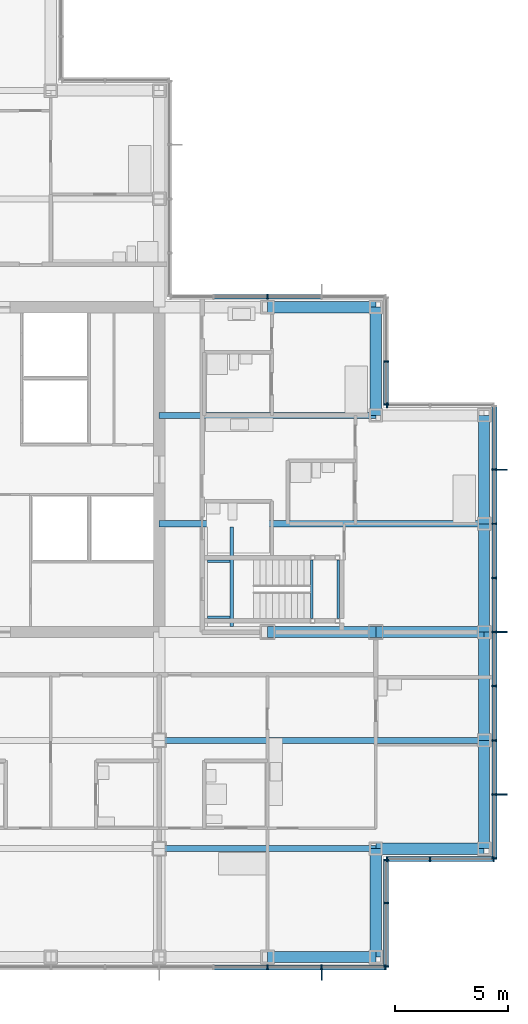
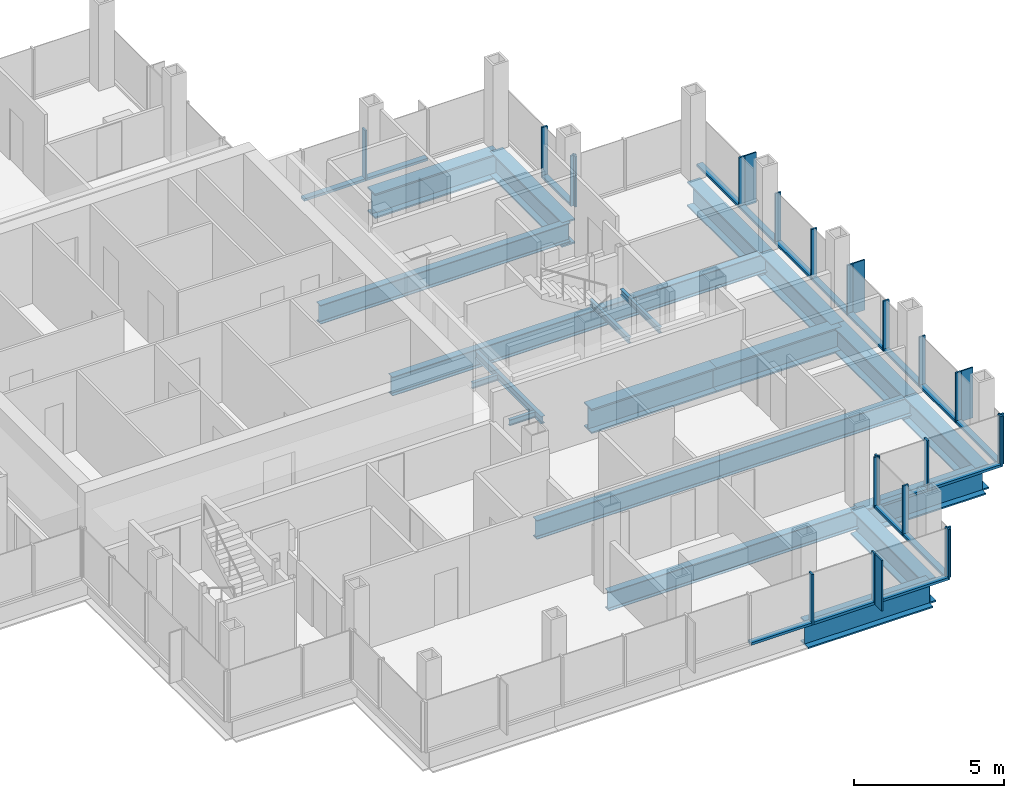
# One storey, part 8 of 20: 43 members, 20 beams, 7 elements without a shape of their own.
"""IFC4 building model written with IfcOpenShell, lengths in metres."""

from ifc_helpers import new_model, si_unit, direction, frame, origin, origin_2d, place, context, subcontext, project, spatial, rectangle, i_section, extrude, material, material_profile, profile_set, type_object, element, aggregate, save


model = new_model("IFC4")

# Units and contexts
model_context = context("Model", 3, precision=1e-05, world=origin(), true_north=direction((0.0, 1.0)))
body_context = subcontext(model_context, "Body", "Model", "MODEL_VIEW")
ifc_project = project(units=[si_unit("LENGTHUNIT", "METRE"), si_unit("AREAUNIT", "SQUARE_METRE"), si_unit("VOLUMEUNIT", "CUBIC_METRE"), si_unit("PLANEANGLEUNIT", "RADIAN"), si_unit("MASSUNIT", "GRAM", prefix="KILO")], contexts=[model_context])

# Site, building, storey
site_placement = place(None, origin())
site = spatial("IfcSite", under=ifc_project, at=site_placement, CompositionType="ELEMENT")
building_placement = place(site_placement, origin())
building = spatial("IfcBuilding", under=site, at=building_placement, Name="Kvirike Care Tower", CompositionType="ELEMENT")
storey_placement = place(building_placement, frame((0.0, 0.0, 133.0)))
storey = spatial("IfcBuildingStorey", under=building, at=storey_placement, Name="L36", CompositionType="ELEMENT", Elevation=133.0)

# Curtain wall, members
ifc_material_1 = material(Name="Anodised aluminium stick system", Category="aluminium")
curtain_wall_type = type_object("IfcCurtainWallType", Name="CW-B STICK CURTAIN WALL", PredefinedType="NOTDEFINED", material=ifc_material_1)
curtain_wall_1_placement = place(storey_placement, origin())
curtain_wall_1 = element("IfcCurtainWall", 1, at=curtain_wall_1_placement, inside=storey, type_object=curtain_wall_type, Name="Curtain wall L36 face 1", PredefinedType="NOTDEFINED")
ifc_material_2 = material(Name="Bronze anodised aluminium fin", Category="aluminium")
ifc_material_profile_1 = material_profile(ifc_material_2, rectangle(XDim=0.050048828125, YDim=0.449951171875, at=origin_2d()), Name="BRONZE FIN 450")
ifc_profile_set_1 = profile_set([ifc_material_profile_1], Name="Bronze anodised aluminium fin")
member_type_1 = type_object("IfcMemberType", Name="BRONZE FIN 450", PredefinedType="USERDEFINED", material=ifc_profile_set_1)
member_1_placement = place(storey_placement, frame((43.9951171875, 21.60009765625, 0.0), z_axis=(0.0, 0.0, 1.0), x_axis=(0.0, 1.0, 0.0)))
member_1 = element("IfcMember", 2, at=member_1_placement, type_object=member_type_1, Name="Bronze fin L36 face 1.2", ObjectType="FIN", PredefinedType="USERDEFINED", context=body_context, shape_type="SweptSolid", body=[
    extrude(rectangle(XDim=0.050048828125, YDim=0.449951171875, at=origin_2d()), origin(), (0.0, 0.0, 1.0), 2.050048828125),
])
member_2_placement = place(storey_placement, frame((43.9951171875, 28.800048828125, 0.0), z_axis=(0.0, 0.0, 1.0), x_axis=(0.0, 1.0, 0.0)))
member_2 = element("IfcMember", 3, at=member_2_placement, type_object=member_type_1, Name="Bronze fin L36 face 1.5", ObjectType="FIN", PredefinedType="USERDEFINED", context=body_context, shape_type="SweptSolid", body=[
    extrude(rectangle(XDim=0.050048828125, YDim=0.449951171875, at=origin_2d()), origin(), (0.0, 0.0, 1.0), 2.050048828125),
])
member_3_placement = place(storey_placement, frame((43.9951171875, 36.0, 0.0), z_axis=(0.0, 0.0, 1.0), x_axis=(0.0, 1.0, 0.0)))
member_3 = element("IfcMember", 4, at=member_3_placement, type_object=member_type_1, Name="Bronze fin L36 face 1.8", ObjectType="FIN", PredefinedType="USERDEFINED", context=body_context, shape_type="SweptSolid", body=[
    extrude(rectangle(XDim=0.050048828125, YDim=0.449951171875, at=origin_2d()), origin(), (0.0, 0.0, 1.0), 2.050048828125),
])

# Curtain wall, member
curtain_wall_2_placement = place(storey_placement, origin())
curtain_wall_2 = element("IfcCurtainWall", 5, at=curtain_wall_2_placement, inside=storey, type_object=curtain_wall_type, Name="Curtain wall L36 face 18", PredefinedType="NOTDEFINED")
member_4_placement = place(storey_placement, frame((36.0, 13.60498046875, 0.0), z_axis=(0.0, 0.0, 1.0), x_axis=(1.0, 0.0, 0.0)))
member_4 = element("IfcMember", 6, at=member_4_placement, type_object=member_type_1, Name="Bronze fin L36 face 18.8", ObjectType="FIN", PredefinedType="USERDEFINED", context=body_context, shape_type="SweptSolid", body=[
    extrude(rectangle(XDim=0.050048828125, YDim=0.449951171875, at=origin_2d()), origin(), (0.0, 0.0, 1.0), 2.050048828125),
])

# Member
ifc_material_3 = material(Name="Bronze anodised aluminium mullion", Category="aluminium")
ifc_material_profile_2 = material_profile(ifc_material_3, rectangle(XDim=0.06494140625, YDim=0.219970703125, at=origin_2d()), Name="CW-B MULLION 65x220")
ifc_profile_set_2 = profile_set([ifc_material_profile_2], Name="Bronze anodised aluminium mullion")
member_type_2 = type_object("IfcMemberType", Name="CW-B MULLION 65x220", PredefinedType="MULLION", material=ifc_profile_set_2)
member_5_placement = place(storey_placement, frame((43.659912109375, 18.7724609375, 0.0), z_axis=(0.0, 0.0, 1.0), x_axis=(0.0, 1.0, 0.0)))
member_5 = element("IfcMember", 7, at=member_5_placement, type_object=member_type_2, Name="CW-B mullion L36 face 1.1", PredefinedType="MULLION", context=body_context, shape_type="SweptSolid", body=[
    extrude(rectangle(XDim=0.06494140625, YDim=0.219970703125, at=origin_2d()), origin(), (0.0, 0.0, 1.0), 2.050048828125),
])

member_6_placement = place(storey_placement, frame((43.659912109375, 21.60009765625, 0.0), z_axis=(0.0, 0.0, 1.0), x_axis=(0.0, 1.0, 0.0)))
member_6 = element("IfcMember", 8, at=member_6_placement, type_object=member_type_2, Name="CW-B mullion L36 face 1.2", PredefinedType="MULLION", context=body_context, shape_type="SweptSolid", body=[
    extrude(rectangle(XDim=0.06494140625, YDim=0.219970703125, at=origin_2d()), origin(), (0.0, 0.0, 1.0), 2.050048828125),
])

member_7_placement = place(storey_placement, frame((43.659912109375, 24.0, 0.0), z_axis=(0.0, 0.0, 1.0), x_axis=(0.0, 1.0, 0.0)))
member_7 = element("IfcMember", 9, at=member_7_placement, type_object=member_type_2, Name="CW-B mullion L36 face 1.3", PredefinedType="MULLION", context=body_context, shape_type="SweptSolid", body=[
    extrude(rectangle(XDim=0.06494140625, YDim=0.219970703125, at=origin_2d()), origin(), (0.0, 0.0, 1.0), 2.050048828125),
])

member_8_placement = place(storey_placement, frame((43.659912109375, 26.39990234375, 0.0), z_axis=(0.0, 0.0, 1.0), x_axis=(0.0, 1.0, 0.0)))
member_8 = element("IfcMember", 10, at=member_8_placement, type_object=member_type_2, Name="CW-B mullion L36 face 1.4", PredefinedType="MULLION", context=body_context, shape_type="SweptSolid", body=[
    extrude(rectangle(XDim=0.06494140625, YDim=0.219970703125, at=origin_2d()), origin(), (0.0, 0.0, 1.0), 2.050048828125),
])

member_9_placement = place(storey_placement, frame((43.659912109375, 28.800048828125, 0.0), z_axis=(0.0, 0.0, 1.0), x_axis=(0.0, 1.0, 0.0)))
member_9 = element("IfcMember", 11, at=member_9_placement, type_object=member_type_2, Name="CW-B mullion L36 face 1.5", PredefinedType="MULLION", context=body_context, shape_type="SweptSolid", body=[
    extrude(rectangle(XDim=0.06494140625, YDim=0.219970703125, at=origin_2d()), origin(), (0.0, 0.0, 1.0), 2.050048828125),
])

member_10_placement = place(storey_placement, frame((43.659912109375, 31.199951171875, 0.0), z_axis=(0.0, 0.0, 1.0), x_axis=(0.0, 1.0, 0.0)))
member_10 = element("IfcMember", 12, at=member_10_placement, type_object=member_type_2, Name="CW-B mullion L36 face 1.6", PredefinedType="MULLION", context=body_context, shape_type="SweptSolid", body=[
    extrude(rectangle(XDim=0.06494140625, YDim=0.219970703125, at=origin_2d()), origin(), (0.0, 0.0, 1.0), 2.050048828125),
])

member_11_placement = place(storey_placement, frame((43.659912109375, 33.60009765625, 0.0), z_axis=(0.0, 0.0, 1.0), x_axis=(0.0, 1.0, 0.0)))
member_11 = element("IfcMember", 13, at=member_11_placement, type_object=member_type_2, Name="CW-B mullion L36 face 1.7", PredefinedType="MULLION", context=body_context, shape_type="SweptSolid", body=[
    extrude(rectangle(XDim=0.06494140625, YDim=0.219970703125, at=origin_2d()), origin(), (0.0, 0.0, 1.0), 2.050048828125),
])

member_12_placement = place(storey_placement, frame((43.659912109375, 36.0, 0.0), z_axis=(0.0, 0.0, 1.0), x_axis=(0.0, 1.0, 0.0)))
member_12 = element("IfcMember", 14, at=member_12_placement, type_object=member_type_2, Name="CW-B mullion L36 face 1.8", PredefinedType="MULLION", context=body_context, shape_type="SweptSolid", body=[
    extrude(rectangle(XDim=0.06494140625, YDim=0.219970703125, at=origin_2d()), origin(), (0.0, 0.0, 1.0), 2.050048828125),
])

# Curtain wall, member
curtain_wall_3_placement = place(storey_placement, origin())
curtain_wall_3 = element("IfcCurtainWall", 15, at=curtain_wall_3_placement, inside=storey, type_object=curtain_wall_type, Name="Curtain wall L36 face 2", PredefinedType="NOTDEFINED")
member_13_placement = place(storey_placement, frame((38.892578125, 38.860107421875, 0.0), z_axis=(0.0, 0.0, 1.0), x_axis=(-1.0, 0.0, 0.0)))
member_13 = element("IfcMember", 16, at=member_13_placement, type_object=member_type_2, Name="CW-B mullion L36 face 2.3", PredefinedType="MULLION", context=body_context, shape_type="SweptSolid", body=[
    extrude(rectangle(XDim=0.06494140625, YDim=0.219970703125, at=origin_2d()), origin(), (0.0, 0.0, 1.0), 2.050048828125),
])
aggregate(curtain_wall_3, [member_13])

# Curtain wall, members
curtain_wall_4_placement = place(storey_placement, origin())
curtain_wall_4 = element("IfcCurtainWall", 17, at=curtain_wall_4_placement, inside=storey, type_object=curtain_wall_type, Name="Curtain wall L36 face 3", PredefinedType="NOTDEFINED")
member_14_placement = place(storey_placement, frame((38.860107421875, 38.892578125, 0.0), z_axis=(0.0, 0.0, 1.0), x_axis=(0.0, 1.0, 0.0)))
member_14 = element("IfcMember", 18, at=member_14_placement, type_object=member_type_2, Name="CW-B mullion L36 face 3.1", PredefinedType="MULLION", context=body_context, shape_type="SweptSolid", body=[
    extrude(rectangle(XDim=0.06494140625, YDim=0.219970703125, at=origin_2d()), origin(), (0.0, 0.0, 1.0), 2.050048828125),
])
member_15_placement = place(storey_placement, frame((38.860107421875, 40.800048828125, 0.0), z_axis=(0.0, 0.0, 1.0), x_axis=(0.0, 1.0, 0.0)))
member_15 = element("IfcMember", 19, at=member_15_placement, type_object=member_type_2, Name="CW-B mullion L36 face 3.2", PredefinedType="MULLION", context=body_context, shape_type="SweptSolid", body=[
    extrude(rectangle(XDim=0.06494140625, YDim=0.219970703125, at=origin_2d()), origin(), (0.0, 0.0, 1.0), 2.050048828125),
])

# Curtain wall, member
curtain_wall_5_placement = place(storey_placement, origin())
curtain_wall_5 = element("IfcCurtainWall", 20, at=curtain_wall_5_placement, inside=storey, type_object=curtain_wall_type, Name="Curtain wall L36 face 4", PredefinedType="NOTDEFINED")
member_16_placement = place(storey_placement, frame((33.60009765625, 43.659912109375, 0.0), z_axis=(0.0, 0.0, 1.0), x_axis=(-1.0, 0.0, 0.0)))
member_16 = element("IfcMember", 21, at=member_16_placement, type_object=member_type_2, Name="CW-B mullion L36 face 4.3", PredefinedType="MULLION", context=body_context, shape_type="SweptSolid", body=[
    extrude(rectangle(XDim=0.06494140625, YDim=0.219970703125, at=origin_2d()), origin(), (0.0, 0.0, 1.0), 2.050048828125),
])

# Member
member_17_placement = place(storey_placement, frame((33.60009765625, 13.93994140625, 0.0), z_axis=(0.0, 0.0, 1.0), x_axis=(1.0, 0.0, 0.0)))
member_17 = element("IfcMember", 22, at=member_17_placement, type_object=member_type_2, Name="CW-B mullion L36 face 18.7", PredefinedType="MULLION", context=body_context, shape_type="SweptSolid", body=[
    extrude(rectangle(XDim=0.06494140625, YDim=0.219970703125, at=origin_2d()), origin(), (0.0, 0.0, 1.0), 2.050048828125),
])

member_18_placement = place(storey_placement, frame((36.0, 13.93994140625, 0.0), z_axis=(0.0, 0.0, 1.0), x_axis=(1.0, 0.0, 0.0)))
member_18 = element("IfcMember", 23, at=member_18_placement, type_object=member_type_2, Name="CW-B mullion L36 face 18.8", PredefinedType="MULLION", context=body_context, shape_type="SweptSolid", body=[
    extrude(rectangle(XDim=0.06494140625, YDim=0.219970703125, at=origin_2d()), origin(), (0.0, 0.0, 1.0), 2.050048828125),
])

member_19_placement = place(storey_placement, frame((38.827392578125, 13.93994140625, 0.0), z_axis=(0.0, 0.0, 1.0), x_axis=(1.0, 0.0, 0.0)))
member_19 = element("IfcMember", 24, at=member_19_placement, type_object=member_type_2, Name="CW-B mullion L36 face 18.9", PredefinedType="MULLION", context=body_context, shape_type="SweptSolid", body=[
    extrude(rectangle(XDim=0.06494140625, YDim=0.219970703125, at=origin_2d()), origin(), (0.0, 0.0, 1.0), 2.050048828125),
])

# Curtain wall, members
curtain_wall_6_placement = place(storey_placement, origin())
curtain_wall_6 = element("IfcCurtainWall", 25, at=curtain_wall_6_placement, inside=storey, type_object=curtain_wall_type, Name="Curtain wall L36 face 19", PredefinedType="NOTDEFINED")
member_20_placement = place(storey_placement, frame((38.860107421875, 13.972412109375, 0.0), z_axis=(0.0, 0.0, 1.0), x_axis=(0.0, 1.0, 0.0)))
member_20 = element("IfcMember", 26, at=member_20_placement, type_object=member_type_2, Name="CW-B mullion L36 face 19.1", PredefinedType="MULLION", context=body_context, shape_type="SweptSolid", body=[
    extrude(rectangle(XDim=0.06494140625, YDim=0.219970703125, at=origin_2d()), origin(), (0.0, 0.0, 1.0), 2.050048828125),
])
member_21_placement = place(storey_placement, frame((38.860107421875, 16.800048828125, 0.0), z_axis=(0.0, 0.0, 1.0), x_axis=(0.0, 1.0, 0.0)))
member_21 = element("IfcMember", 27, at=member_21_placement, type_object=member_type_2, Name="CW-B mullion L36 face 19.2", PredefinedType="MULLION", context=body_context, shape_type="SweptSolid", body=[
    extrude(rectangle(XDim=0.06494140625, YDim=0.219970703125, at=origin_2d()), origin(), (0.0, 0.0, 1.0), 2.050048828125),
])
member_22_placement = place(storey_placement, frame((38.860107421875, 18.70751953125, 0.0), z_axis=(0.0, 0.0, 1.0), x_axis=(0.0, 1.0, 0.0)))
member_22 = element("IfcMember", 28, at=member_22_placement, type_object=member_type_2, Name="CW-B mullion L36 face 19.3", PredefinedType="MULLION", context=body_context, shape_type="SweptSolid", body=[
    extrude(rectangle(XDim=0.06494140625, YDim=0.219970703125, at=origin_2d()), origin(), (0.0, 0.0, 1.0), 2.050048828125),
])

curtain_wall_7_placement = place(storey_placement, origin())
curtain_wall_7 = element("IfcCurtainWall", 29, at=curtain_wall_7_placement, inside=storey, type_object=curtain_wall_type, Name="Curtain wall L36 face 20", PredefinedType="NOTDEFINED")
member_23_placement = place(storey_placement, frame((38.892578125, 18.739990234375, 0.0), z_axis=(0.0, 0.0, 1.0), x_axis=(1.0, 0.0, 0.0)))
member_23 = element("IfcMember", 30, at=member_23_placement, type_object=member_type_2, Name="CW-B mullion L36 face 20.1", PredefinedType="MULLION", context=body_context, shape_type="SweptSolid", body=[
    extrude(rectangle(XDim=0.06494140625, YDim=0.219970703125, at=origin_2d()), origin(), (0.0, 0.0, 1.0), 2.050048828125),
])
member_24_placement = place(storey_placement, frame((40.800048828125, 18.739990234375, 0.0), z_axis=(0.0, 0.0, 1.0), x_axis=(1.0, 0.0, 0.0)))
member_24 = element("IfcMember", 31, at=member_24_placement, type_object=member_type_2, Name="CW-B mullion L36 face 20.2", PredefinedType="MULLION", context=body_context, shape_type="SweptSolid", body=[
    extrude(rectangle(XDim=0.06494140625, YDim=0.219970703125, at=origin_2d()), origin(), (0.0, 0.0, 1.0), 2.050048828125),
])
member_25_placement = place(storey_placement, frame((43.62744140625, 18.739990234375, 0.0), z_axis=(0.0, 0.0, 1.0), x_axis=(1.0, 0.0, 0.0)))
member_25 = element("IfcMember", 32, at=member_25_placement, type_object=member_type_2, Name="CW-B mullion L36 face 20.3", PredefinedType="MULLION", context=body_context, shape_type="SweptSolid", body=[
    extrude(rectangle(XDim=0.06494140625, YDim=0.219970703125, at=origin_2d()), origin(), (0.0, 0.0, 1.0), 2.050048828125),
])

# Member
ifc_material_4 = material(Name="Bronze anodised aluminium transom", Category="aluminium")
ifc_material_profile_3 = material_profile(ifc_material_4, rectangle(XDim=0.219970703125, YDim=0.10009765625, at=origin_2d()), Name="CW-B TRANSOM 220x100")
ifc_profile_set_3 = profile_set([ifc_material_profile_3], Name="Bronze anodised aluminium transom")
member_type_3 = type_object("IfcMemberType", Name="CW-B TRANSOM 220x100", PredefinedType="USERDEFINED", material=ifc_profile_set_3)
member_26_placement = place(storey_placement, frame((43.659912109375, 18.804931640625, 0.050048828125), z_axis=(0.0, 1.0, 0.0), x_axis=(-1.0, 0.0, 0.0)))
member_26 = element("IfcMember", 33, at=member_26_placement, type_object=member_type_3, Name="CW-B sill transom L36 face 1.1", ObjectType="TRANSOM", PredefinedType="USERDEFINED", context=body_context, shape_type="SweptSolid", body=[
    extrude(rectangle(XDim=0.219970703125, YDim=0.10009765625, at=origin_2d()), origin(), (0.0, 0.0, 1.0), 2.762451171875),
])

member_27_placement = place(storey_placement, frame((43.659912109375, 21.632568359375, 0.050048828125), z_axis=(0.0, 1.0, 0.0), x_axis=(-1.0, 0.0, 0.0)))
member_27 = element("IfcMember", 34, at=member_27_placement, type_object=member_type_3, Name="CW-B sill transom L36 face 1.2", ObjectType="TRANSOM", PredefinedType="USERDEFINED", context=body_context, shape_type="SweptSolid", body=[
    extrude(rectangle(XDim=0.219970703125, YDim=0.10009765625, at=origin_2d()), origin(), (0.0, 0.0, 1.0), 2.3349609375),
])

member_28_placement = place(storey_placement, frame((43.659912109375, 24.032470703125, 0.050048828125), z_axis=(0.0, 1.0, 0.0), x_axis=(-1.0, 0.0, 0.0)))
member_28 = element("IfcMember", 35, at=member_28_placement, type_object=member_type_3, Name="CW-B sill transom L36 face 1.3", ObjectType="TRANSOM", PredefinedType="USERDEFINED", context=body_context, shape_type="SweptSolid", body=[
    extrude(rectangle(XDim=0.219970703125, YDim=0.10009765625, at=origin_2d()), origin(), (0.0, 0.0, 1.0), 2.3349609375),
])

member_29_placement = place(storey_placement, frame((43.659912109375, 26.4326171875, 0.050048828125), z_axis=(0.0, 1.0, 0.0), x_axis=(-1.0, 0.0, 0.0)))
member_29 = element("IfcMember", 36, at=member_29_placement, type_object=member_type_3, Name="CW-B sill transom L36 face 1.4", ObjectType="TRANSOM", PredefinedType="USERDEFINED", context=body_context, shape_type="SweptSolid", body=[
    extrude(rectangle(XDim=0.219970703125, YDim=0.10009765625, at=origin_2d()), origin(), (0.0, 0.0, 1.0), 2.3349609375),
])

member_30_placement = place(storey_placement, frame((43.659912109375, 28.83251953125, 0.050048828125), z_axis=(0.0, 1.0, 0.0), x_axis=(-1.0, 0.0, 0.0)))
member_30 = element("IfcMember", 37, at=member_30_placement, type_object=member_type_3, Name="CW-B sill transom L36 face 1.5", ObjectType="TRANSOM", PredefinedType="USERDEFINED", context=body_context, shape_type="SweptSolid", body=[
    extrude(rectangle(XDim=0.219970703125, YDim=0.10009765625, at=origin_2d()), origin(), (0.0, 0.0, 1.0), 2.3349609375),
])

member_31_placement = place(storey_placement, frame((43.659912109375, 31.232421875, 0.050048828125), z_axis=(0.0, 1.0, 0.0), x_axis=(-1.0, 0.0, 0.0)))
member_31 = element("IfcMember", 38, at=member_31_placement, type_object=member_type_3, Name="CW-B sill transom L36 face 1.6", ObjectType="TRANSOM", PredefinedType="USERDEFINED", context=body_context, shape_type="SweptSolid", body=[
    extrude(rectangle(XDim=0.219970703125, YDim=0.10009765625, at=origin_2d()), origin(), (0.0, 0.0, 1.0), 2.3349609375),
])

member_32_placement = place(storey_placement, frame((43.659912109375, 33.632568359375, 0.050048828125), z_axis=(0.0, 1.0, 0.0), x_axis=(-1.0, 0.0, 0.0)))
member_32 = element("IfcMember", 39, at=member_32_placement, type_object=member_type_3, Name="CW-B sill transom L36 face 1.7", ObjectType="TRANSOM", PredefinedType="USERDEFINED", context=body_context, shape_type="SweptSolid", body=[
    extrude(rectangle(XDim=0.219970703125, YDim=0.10009765625, at=origin_2d()), origin(), (0.0, 0.0, 1.0), 2.3349609375),
])

member_33_placement = place(storey_placement, frame((43.659912109375, 36.032470703125, 0.050048828125), z_axis=(0.0, 1.0, 0.0), x_axis=(-1.0, 0.0, 0.0)))
member_33 = element("IfcMember", 40, at=member_33_placement, type_object=member_type_3, Name="CW-B sill transom L36 face 1.8", ObjectType="TRANSOM", PredefinedType="USERDEFINED", context=body_context, shape_type="SweptSolid", body=[
    extrude(rectangle(XDim=0.219970703125, YDim=0.10009765625, at=origin_2d()), origin(), (0.0, 0.0, 1.0), 2.762451171875),
])

aggregate(curtain_wall_1, [member_5, member_6, member_1, member_7, member_8, member_9, member_2, member_10, member_11, member_12, member_3, member_26, member_27, member_28, member_29, member_30, member_31, member_32, member_33])

member_34_placement = place(storey_placement, frame((38.860107421875, 38.925048828125, 0.050048828125), z_axis=(0.0, 1.0, 0.0), x_axis=(-1.0, 0.0, 0.0)))
member_34 = element("IfcMember", 41, at=member_34_placement, type_object=member_type_3, Name="CW-B sill transom L36 face 3.1", ObjectType="TRANSOM", PredefinedType="USERDEFINED", context=body_context, shape_type="SweptSolid", body=[
    extrude(rectangle(XDim=0.219970703125, YDim=0.10009765625, at=origin_2d()), origin(), (0.0, 0.0, 1.0), 1.842529296875),
])

aggregate(curtain_wall_4, [member_14, member_15, member_34])

member_35_placement = place(storey_placement, frame((35.967529296875, 43.659912109375, 0.050048828125), z_axis=(-1.0, 0.0, 0.0), x_axis=(0.0, -1.0, 0.0)))
member_35 = element("IfcMember", 42, at=member_35_placement, type_object=member_type_3, Name="CW-B sill transom L36 face 4.2", ObjectType="TRANSOM", PredefinedType="USERDEFINED", context=body_context, shape_type="SweptSolid", body=[
    extrude(rectangle(XDim=0.219970703125, YDim=0.10009765625, at=origin_2d()), origin(), (0.0, 0.0, 1.0), 2.3349609375),
])

member_36_placement = place(storey_placement, frame((33.5673828125, 43.659912109375, 0.050048828125), z_axis=(-1.0, 0.0, 0.0), x_axis=(0.0, -1.0, 0.0)))
member_36 = element("IfcMember", 43, at=member_36_placement, type_object=member_type_3, Name="CW-B sill transom L36 face 4.3", ObjectType="TRANSOM", PredefinedType="USERDEFINED", context=body_context, shape_type="SweptSolid", body=[
    extrude(rectangle(XDim=0.219970703125, YDim=0.10009765625, at=origin_2d()), origin(), (0.0, 0.0, 1.0), 2.3349609375),
])

aggregate(curtain_wall_5, [member_16, member_35, member_36])

member_37_placement = place(storey_placement, frame((31.232421875, 13.93994140625, 0.050048828125), z_axis=(1.0, 0.0, 0.0), x_axis=(0.0, 1.0, 0.0)))
member_37 = element("IfcMember", 44, at=member_37_placement, type_object=member_type_3, Name="CW-B sill transom L36 face 18.6", ObjectType="TRANSOM", PredefinedType="USERDEFINED", context=body_context, shape_type="SweptSolid", body=[
    extrude(rectangle(XDim=0.219970703125, YDim=0.10009765625, at=origin_2d()), origin(), (0.0, 0.0, 1.0), 2.3349609375),
])

member_38_placement = place(storey_placement, frame((33.632568359375, 13.93994140625, 0.050048828125), z_axis=(1.0, 0.0, 0.0), x_axis=(0.0, 1.0, 0.0)))
member_38 = element("IfcMember", 45, at=member_38_placement, type_object=member_type_3, Name="CW-B sill transom L36 face 18.7", ObjectType="TRANSOM", PredefinedType="USERDEFINED", context=body_context, shape_type="SweptSolid", body=[
    extrude(rectangle(XDim=0.219970703125, YDim=0.10009765625, at=origin_2d()), origin(), (0.0, 0.0, 1.0), 2.3349609375),
])

member_39_placement = place(storey_placement, frame((36.032470703125, 13.93994140625, 0.050048828125), z_axis=(1.0, 0.0, 0.0), x_axis=(0.0, 1.0, 0.0)))
member_39 = element("IfcMember", 46, at=member_39_placement, type_object=member_type_3, Name="CW-B sill transom L36 face 18.8", ObjectType="TRANSOM", PredefinedType="USERDEFINED", context=body_context, shape_type="SweptSolid", body=[
    extrude(rectangle(XDim=0.219970703125, YDim=0.10009765625, at=origin_2d()), origin(), (0.0, 0.0, 1.0), 2.762451171875),
])

aggregate(curtain_wall_2, [member_17, member_18, member_4, member_19, member_37, member_38, member_39])

member_40_placement = place(storey_placement, frame((38.860107421875, 14.0048828125, 0.050048828125), z_axis=(0.0, 1.0, 0.0), x_axis=(-1.0, 0.0, 0.0)))
member_40 = element("IfcMember", 47, at=member_40_placement, type_object=member_type_3, Name="CW-B sill transom L36 face 19.1", ObjectType="TRANSOM", PredefinedType="USERDEFINED", context=body_context, shape_type="SweptSolid", body=[
    extrude(rectangle(XDim=0.219970703125, YDim=0.10009765625, at=origin_2d()), origin(), (0.0, 0.0, 1.0), 2.7626953125),
])

member_41_placement = place(storey_placement, frame((38.860107421875, 16.83251953125, 0.050048828125), z_axis=(0.0, 1.0, 0.0), x_axis=(-1.0, 0.0, 0.0)))
member_41 = element("IfcMember", 48, at=member_41_placement, type_object=member_type_3, Name="CW-B sill transom L36 face 19.2", ObjectType="TRANSOM", PredefinedType="USERDEFINED", context=body_context, shape_type="SweptSolid", body=[
    extrude(rectangle(XDim=0.219970703125, YDim=0.10009765625, at=origin_2d()), origin(), (0.0, 0.0, 1.0), 1.842529296875),
])

aggregate(curtain_wall_6, [member_20, member_21, member_22, member_40, member_41])

member_42_placement = place(storey_placement, frame((38.925048828125, 18.739990234375, 0.050048828125), z_axis=(1.0, 0.0, 0.0), x_axis=(0.0, 1.0, 0.0)))
member_42 = element("IfcMember", 49, at=member_42_placement, type_object=member_type_3, Name="CW-B sill transom L36 face 20.1", ObjectType="TRANSOM", PredefinedType="USERDEFINED", context=body_context, shape_type="SweptSolid", body=[
    extrude(rectangle(XDim=0.219970703125, YDim=0.10009765625, at=origin_2d()), origin(), (0.0, 0.0, 1.0), 1.842529296875),
])

member_43_placement = place(storey_placement, frame((40.83251953125, 18.739990234375, 0.050048828125), z_axis=(1.0, 0.0, 0.0), x_axis=(0.0, 1.0, 0.0)))
member_43 = element("IfcMember", 50, at=member_43_placement, type_object=member_type_3, Name="CW-B sill transom L36 face 20.2", ObjectType="TRANSOM", PredefinedType="USERDEFINED", context=body_context, shape_type="SweptSolid", body=[
    extrude(rectangle(XDim=0.219970703125, YDim=0.10009765625, at=origin_2d()), origin(), (0.0, 0.0, 1.0), 2.762451171875),
])

aggregate(curtain_wall_7, [member_23, member_24, member_25, member_42, member_43])

# Beams
ifc_material_5 = material(Name="Steel S355", Category="steel")
ifc_material_profile_4 = material_profile(ifc_material_5, i_section(OverallWidth=0.26806640625, OverallDepth=0.77001953125, WebThickness=0.015625, FlangeThickness=0.025390625, FilletRadius=0.01708984375, at=origin_2d()), Name="IPE 750x196")
ifc_profile_set_4 = profile_set([ifc_material_profile_4], Name="Steel S355")
beam_type_1 = type_object("IfcBeamType", Name="FLOOR BEAM IPE 750x196", PredefinedType="BEAM", material=ifc_profile_set_4)
beam_1_placement = place(storey_placement, frame((28.800048828125, 19.199951171875, -0.554931640625), z_axis=(1.0, 0.0, 0.0), x_axis=(0.0, 1.0, 0.0)))
element("IfcBeam", 51, at=beam_1_placement, inside=storey, type_object=beam_type_1, Name="Floor Beam E9-E11 L36", PredefinedType="BEAM", context=body_context, shape_type="SweptSolid", body=[
    extrude(i_section(OverallWidth=0.26806640625, OverallDepth=0.77001953125, WebThickness=0.015625, FlangeThickness=0.025390625, FilletRadius=0.01708984375, at=origin_2d()), origin(), (0.0, 0.0, 1.0), 9.599853515625),
])
for number, where, z_axis, x_axis, name in (
    (52, (28.800048828125, 24.0, -0.554931640625), (1.0, 0.0, 0.0), (0.0, 1.0, 0.0), "Floor Beam F9-F12 L36"),
    (53, (28.800048828125, 33.60009765625, -0.554931640625), (1.0, 0.0, 0.0), (0.0, 1.0, 0.0), "Floor Beam H9-H12 L36"),
):
    element("IfcBeam", number, at=place(storey_placement, frame(where, z_axis=z_axis, x_axis=x_axis)), inside=storey, type_object=beam_type_1, Name=name, PredefinedType="BEAM", context=body_context, shape_type="SweptSolid", body=[
        extrude(i_section(OverallWidth=0.26806640625, OverallDepth=0.77001953125, WebThickness=0.015625, FlangeThickness=0.025390625, FilletRadius=0.01708984375, at=origin_2d()), origin(), (0.0, 0.0, 1.0), 14.39990234375),
    ])
beam_2_placement = place(storey_placement, frame((28.800048828125, 38.39990234375, -0.554931640625), z_axis=(1.0, 0.0, 0.0), x_axis=(0.0, 1.0, 0.0)))
element("IfcBeam", 54, at=beam_2_placement, inside=storey, type_object=beam_type_1, Name="Floor Beam J9-J11 L36", PredefinedType="BEAM", context=body_context, shape_type="SweptSolid", body=[
    extrude(i_section(OverallWidth=0.26806640625, OverallDepth=0.77001953125, WebThickness=0.015625, FlangeThickness=0.025390625, FilletRadius=0.01708984375, at=origin_2d()), origin(), (0.0, 0.0, 1.0), 9.599853515625),
])
ifc_material_6 = material(Name="Steel S355", Category="steel")
ifc_material_profile_5 = material_profile(ifc_material_6, i_section(OverallWidth=0.5, OverallDepth=1.0, WebThickness=0.030029296875, FlangeThickness=0.06005859375, at=origin_2d()), Name="PG 1000x500x30x60")
ifc_profile_set_5 = profile_set([ifc_material_profile_5], Name="Steel S355")
beam_type_2 = type_object("IfcBeamType", Name="FRAME BEAM PG 1000x500x30x60", PredefinedType="BEAM", material=ifc_profile_set_5)
beam_3_placement = place(storey_placement, frame((33.60009765625, 28.800048828125, -0.669921875), z_axis=(1.0, 0.0, 0.0), x_axis=(0.0, 1.0, 0.0)))
element("IfcBeam", 55, at=beam_3_placement, inside=storey, type_object=beam_type_2, Name="Frame Beam G10-G11 L36", PredefinedType="BEAM", context=body_context, shape_type="SweptSolid", body=[
    extrude(i_section(OverallWidth=0.5, OverallDepth=1.0, WebThickness=0.030029296875, FlangeThickness=0.06005859375, at=origin_2d()), origin(), (0.0, 0.0, 1.0), 4.7998046875),
])
beam_4_placement = place(storey_placement, frame((38.39990234375, 28.800048828125, -0.669921875), z_axis=(1.0, 0.0, 0.0), x_axis=(0.0, 1.0, 0.0)))
element("IfcBeam", 56, at=beam_4_placement, inside=storey, type_object=beam_type_2, Name="Frame Beam G11-G12 L36", PredefinedType="BEAM", context=body_context, shape_type="SweptSolid", body=[
    extrude(i_section(OverallWidth=0.5, OverallDepth=1.0, WebThickness=0.030029296875, FlangeThickness=0.06005859375, at=origin_2d()), origin(), (0.0, 0.0, 1.0), 4.800048828125),
])
ifc_material_7 = material(Name="Steel S355", Category="steel")
ifc_material_profile_6 = material_profile(ifc_material_7, i_section(OverallWidth=0.5, OverallDepth=1.0, WebThickness=0.030029296875, FlangeThickness=0.06005859375, at=origin_2d()), Name="PG 1000x500x30x60")
ifc_profile_set_6 = profile_set([ifc_material_profile_6], Name="Steel S355")
beam_type_3 = type_object("IfcBeamType", Name="SPANDREL PG 1000x500x30x60", PredefinedType="SPANDREL", material=ifc_profile_set_6)
beam_5_placement = place(storey_placement, frame((33.60009765625, 14.39990234375, -0.669921875), z_axis=(1.0, 0.0, 0.0), x_axis=(0.0, 1.0, 0.0)))
element("IfcBeam", 57, at=beam_5_placement, inside=storey, type_object=beam_type_3, Name="Spandrel D10-D11 L36", PredefinedType="SPANDREL", context=body_context, shape_type="SweptSolid", body=[
    extrude(i_section(OverallWidth=0.5, OverallDepth=1.0, WebThickness=0.030029296875, FlangeThickness=0.06005859375, at=origin_2d()), origin(), (0.0, 0.0, 1.0), 4.7998046875),
])
beam_6_placement = place(storey_placement, frame((38.39990234375, 19.199951171875, -0.669921875), z_axis=(1.0, 0.0, 0.0), x_axis=(0.0, 1.0, 0.0)))
element("IfcBeam", 58, at=beam_6_placement, inside=storey, type_object=beam_type_3, Name="Spandrel E11-E12 L36", PredefinedType="SPANDREL", context=body_context, shape_type="SweptSolid", body=[
    extrude(i_section(OverallWidth=0.5, OverallDepth=1.0, WebThickness=0.030029296875, FlangeThickness=0.06005859375, at=origin_2d()), origin(), (0.0, 0.0, 1.0), 4.800048828125),
])
beam_7_placement = place(storey_placement, frame((33.60009765625, 43.199951171875, -0.669921875), z_axis=(1.0, 0.0, 0.0), x_axis=(0.0, 1.0, 0.0)))
element("IfcBeam", 59, at=beam_7_placement, inside=storey, type_object=beam_type_3, Name="Spandrel K10-K11 L36", PredefinedType="SPANDREL", context=body_context, shape_type="SweptSolid", body=[
    extrude(i_section(OverallWidth=0.5, OverallDepth=1.0, WebThickness=0.030029296875, FlangeThickness=0.06005859375, at=origin_2d()), origin(), (0.0, 0.0, 1.0), 4.7998046875),
])
for number, where, z_axis, x_axis, name in (
    (60, (38.39990234375, 14.39990234375, -0.669921875), (0.0, 1.0, 0.0), (-1.0, 0.0, 0.0), "Spandrel D11-E11 L36"),
    (61, (38.39990234375, 38.39990234375, -0.669921875), (0.0, 1.0, 0.0), (-1.0, 0.0, 0.0), "Spandrel J11-K11 L36"),
    (62, (43.199951171875, 19.199951171875, -0.669921875), (0.0, 1.0, 0.0), (-1.0, 0.0, 0.0), "Spandrel E12-F12 L36"),
    (63, (43.199951171875, 24.0, -0.669921875), (0.0, 1.0, 0.0), (-1.0, 0.0, 0.0), "Spandrel F12-G12 L36"),
    (64, (43.199951171875, 28.800048828125, -0.669921875), (0.0, 1.0, 0.0), (-1.0, 0.0, 0.0), "Spandrel G12-H12 L36"),
):
    element("IfcBeam", number, at=place(storey_placement, frame(where, z_axis=z_axis, x_axis=x_axis)), inside=storey, type_object=beam_type_3, Name=name, PredefinedType="SPANDREL", context=body_context, shape_type="SweptSolid", body=[
        extrude(i_section(OverallWidth=0.5, OverallDepth=1.0, WebThickness=0.030029296875, FlangeThickness=0.06005859375, at=origin_2d()), origin(), (0.0, 0.0, 1.0), 4.800048828125),
    ])
beam_8_placement = place(storey_placement, frame((43.199951171875, 33.60009765625, -0.669921875), z_axis=(0.0, 1.0, 0.0), x_axis=(-1.0, 0.0, 0.0)))
element("IfcBeam", 65, at=beam_8_placement, inside=storey, type_object=beam_type_3, Name="Spandrel H12-J12 L36", PredefinedType="SPANDREL", context=body_context, shape_type="SweptSolid", body=[
    extrude(i_section(OverallWidth=0.5, OverallDepth=1.0, WebThickness=0.030029296875, FlangeThickness=0.06005859375, at=origin_2d()), origin(), (0.0, 0.0, 1.0), 4.7998046875),
])
ifc_material_8 = material(Name="Steel S355", Category="steel")
ifc_material_profile_7 = material_profile(ifc_material_8, i_section(OverallWidth=0.1201171875, OverallDepth=0.239990234375, WebThickness=0.006103515625, FlangeThickness=0.009765625, FilletRadius=0.014892578125, at=origin_2d()), Name="IPE 240")
ifc_profile_set_7 = profile_set([ifc_material_profile_7], Name="Steel S355")
beam_type_4 = type_object("IfcBeamType", Name="STAIR LANDING BEAM IPE 240", PredefinedType="BEAM", material=ifc_profile_set_7)
for number, where, z_axis, x_axis, name in (
    (66, (36.739990234375, 29.39990234375, 1.429931640625), (0.0, 1.0, 0.0), (-1.0, 0.0, 0.0), "Stair 2 landing beam back L36"),
    (67, (35.56005859375, 29.39990234375, 1.429931640625), (0.0, 1.0, 0.0), (-1.0, 0.0, 0.0), "Stair 2 landing beam front L36"),
):
    element("IfcBeam", number, at=place(storey_placement, frame(where, z_axis=z_axis, x_axis=x_axis)), inside=storey, type_object=beam_type_4, Name=name, PredefinedType="BEAM", context=body_context, shape_type="SweptSolid", body=[
        extrude(i_section(OverallWidth=0.1201171875, OverallDepth=0.239990234375, WebThickness=0.006103515625, FlangeThickness=0.009765625, FilletRadius=0.014892578125, at=origin_2d()), origin(), (0.0, 0.0, 1.0), 2.60009765625),
    ])
for number, where, z_axis, x_axis, name in (
    (68, (31.949951171875, 29.4599609375, -0.320068359375), (-1.0, 0.0, 0.0), (0.0, -1.0, 0.0), "Stair 2 landing edge beam 1 L36"),
    (69, (31.949951171875, 31.93994140625, -0.320068359375), (-1.0, 0.0, 0.0), (0.0, -1.0, 0.0), "Stair 2 landing edge beam 2 L36"),
):
    element("IfcBeam", number, at=place(storey_placement, frame(where, z_axis=z_axis, x_axis=x_axis)), inside=storey, type_object=beam_type_4, Name=name, PredefinedType="BEAM", context=body_context, shape_type="SweptSolid", body=[
        extrude(i_section(OverallWidth=0.1201171875, OverallDepth=0.239990234375, WebThickness=0.006103515625, FlangeThickness=0.009765625, FilletRadius=0.014892578125, at=origin_2d()), origin(), (0.0, 0.0, 1.0), 1.0),
    ])
ifc_material_9 = material(Name="Steel S355", Category="steel")
ifc_material_profile_8 = material_profile(ifc_material_9, i_section(OverallWidth=0.14990234375, OverallDepth=0.300048828125, WebThickness=0.007080078125, FlangeThickness=0.0107421875, FilletRadius=0.014892578125, at=origin_2d()), Name="IPE 300")
ifc_profile_set_8 = profile_set([ifc_material_profile_8], Name="Steel S355")
beam_type_5 = type_object("IfcBeamType", Name="STAIR TRIMMER IPE 300", PredefinedType="BEAM", material=ifc_profile_set_8)
beam_9_placement = place(storey_placement, frame((32.02490234375, 29.050048828125, -0.35009765625), z_axis=(0.0, 1.0, 0.0), x_axis=(-1.0, 0.0, 0.0)))
element("IfcBeam", 70, at=beam_9_placement, inside=storey, type_object=beam_type_5, Name="Stair 2 trimmer 1 L36", PredefinedType="BEAM", context=body_context, shape_type="SweptSolid", body=[
    extrude(i_section(OverallWidth=0.14990234375, OverallDepth=0.300048828125, WebThickness=0.007080078125, FlangeThickness=0.0107421875, FilletRadius=0.014892578125, at=origin_2d()), origin(), (0.0, 0.0, 1.0), 4.416015625),
])

save(model, "model.ifc")
